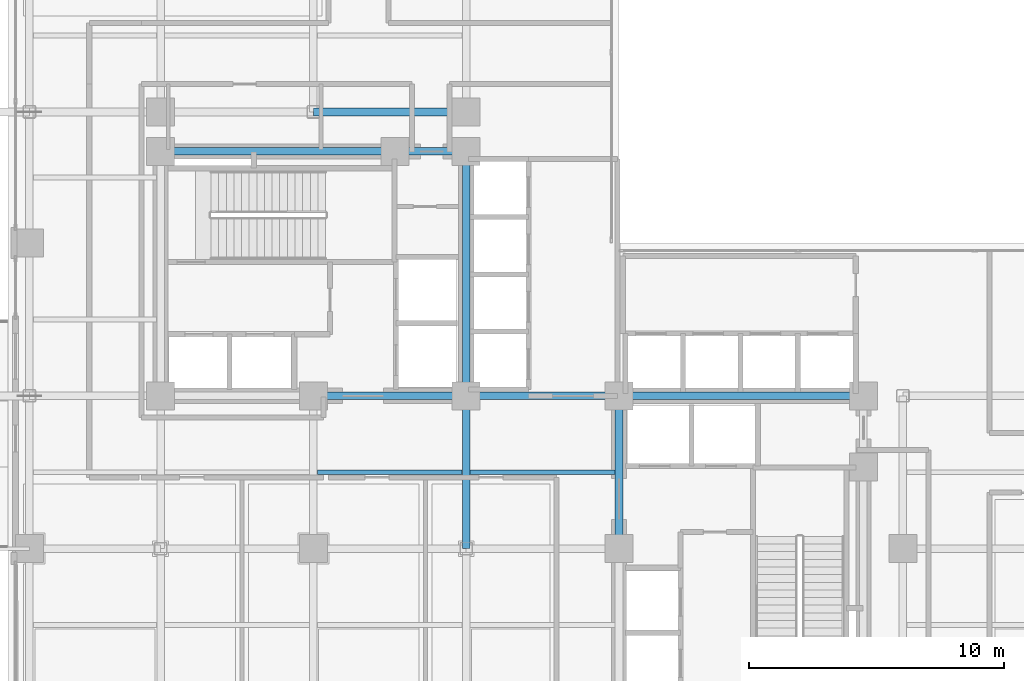
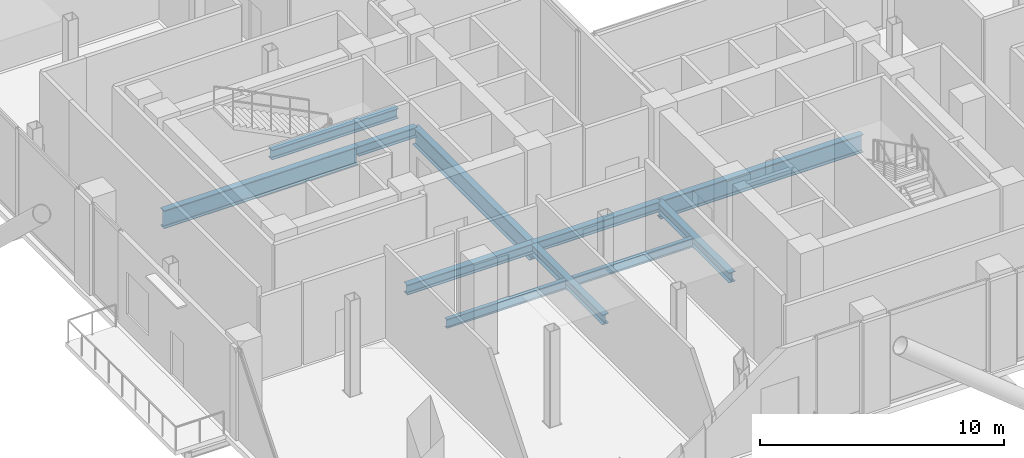
# One storey, part 6 of 25: 11 beams.
"""IFC4 building model written with IfcOpenShell, lengths in metres."""

import ifcopenshell
import ifcopenshell.guid

model = None  # the IFC model being written
_history = None  # IfcOwnerHistory: only IFC2X3 demands one
_inside = {}  # id of a spatial element -> (the spatial element, [elements in it])
_under = {}  # id of a project, library or spatial element -> (it, [spatial elements below it])
_declared = {}  # id of a project -> (the project, [libraries it declares])
_typed = {}  # id of a type object -> (the type object, [elements of that type])
_made_of = {}  # id of a material, layer set ... -> (it, [elements and type objects made of it])


def new_model(schema):
    """Start an empty IFC model of exactly this schema.

    Asked for "IFC4X3", IfcOpenShell would pick the latest addendum, in which some entities
    have other attributes; the version numbers below select the first issue.
    IFC2X3 requires an IfcOwnerHistory on every rooted entity: one is made here for all.
    """
    global model, _history
    if schema == "IFC4X3":
        model = ifcopenshell.file(schema_version=(4, 3, 0, 0))
    else:
        model = ifcopenshell.file(schema=schema)
    _inside.clear()
    _under.clear()
    _declared.clear()
    _typed.clear()
    _made_of.clear()
    _history = None
    if model.schema == "IFC2X3":
        org = make("IfcOrganization", Name="unknown")
        user = make(
            "IfcPersonAndOrganization",
            ThePerson=make("IfcPerson", FamilyName="unknown"),
            TheOrganization=org,
        )
        app = make(
            "IfcApplication",
            ApplicationDeveloper=org,
            Version="unknown",
            ApplicationFullName="unknown",
            ApplicationIdentifier="unknown",
        )
        _history = make(
            "IfcOwnerHistory",
            OwningUser=user,
            OwningApplication=app,
            ChangeAction="ADDED",
            CreationDate=0,
        )
    return model


def make(cls, **values):
    """One entity of the class cls with the attributes given. An attribute that is None is left unset."""
    return model.create_entity(
        cls, **{name: value for name, value in values.items() if value is not None}
    )


def rooted(cls, **values):
    """An entity with a GlobalId (a new one), such as an element, a storey or a relation."""
    return make(cls, GlobalId=ifcopenshell.guid.new(), OwnerHistory=_history, **values)


def si_unit(unit_type, name, prefix=None):
    """IfcSIUnit, for example si_unit("LENGTHUNIT", "METRE", prefix="MILLI")."""
    return make("IfcSIUnit", UnitType=unit_type, Prefix=prefix, Name=name)


def assignment(units):
    """IfcUnitAssignment: the units of a project."""
    return None if units is None else make("IfcUnitAssignment", Units=units)


def point(xyz):
    """IfcCartesianPoint."""
    return None if xyz is None else make("IfcCartesianPoint", Coordinates=xyz)


def direction(xyz):
    """IfcDirection."""
    return None if xyz is None else make("IfcDirection", DirectionRatios=xyz)


def frame(location, z_axis=None, x_axis=None):
    """IfcAxis2Placement3D, a coordinate frame: its origin and axes. An axis left out is left unset."""
    return make(
        "IfcAxis2Placement3D",
        Location=point(location),
        Axis=direction(z_axis),
        RefDirection=direction(x_axis),
    )


def frame_2d(location, x_axis=None):
    """IfcAxis2Placement2D, a coordinate frame in the plane: its origin and x axis."""
    return make(
        "IfcAxis2Placement2D", Location=point(location), RefDirection=direction(x_axis)
    )


def origin():
    """The frame at (0, 0, 0) with its axes left unset."""
    return frame((0.0, 0.0, 0.0))


def origin_2d():
    """The frame at (0, 0) in the plane with its x axis left unset."""
    return frame_2d((0.0, 0.0))


def place(relative_to, where):
    """IfcLocalPlacement: puts the frame where relative to a parent placement (None: the world)."""
    return make(
        "IfcLocalPlacement", PlacementRelTo=relative_to, RelativePlacement=where
    )


def context(
    kind, dimensions, precision=None, world=None, true_north=None, identifier=None
):
    """IfcGeometricRepresentationContext, for example the 3D "Model" context."""
    return make(
        "IfcGeometricRepresentationContext",
        ContextIdentifier=identifier,
        ContextType=kind,
        CoordinateSpaceDimension=dimensions,
        Precision=precision,
        WorldCoordinateSystem=world,
        TrueNorth=true_north,
    )


def subcontext(parent, identifier, kind, view, scale=None):
    """IfcGeometricRepresentationSubContext, for example "Body" below "Model"."""
    return make(
        "IfcGeometricRepresentationSubContext",
        ContextIdentifier=identifier,
        ContextType=kind,
        ParentContext=parent,
        TargetScale=scale,
        TargetView=view,
    )


def project(units=None, contexts=None):
    """IfcProject with its units and contexts."""
    return rooted(
        "IfcProject",
        Name="project",
        RepresentationContexts=contexts,
        UnitsInContext=assignment(units),
    )


def spatial(cls, under=None, at=None, **own):
    """A site, building, storey or space (cls), placed at a placement, below another one or the project."""
    s = rooted(cls, ObjectPlacement=at, **own)
    if under is not None:
        _under.setdefault(under.id(), (under, []))[1].append(s)
    return s


def profile(cls, at=None, kind="AREA", **sizes):
    """A parametric profile (cls). Its sizes go by their IFC names, for example OverallWidth=200.0."""
    return make(cls, ProfileType=kind, Position=at, **sizes)


def i_section(**sizes):
    """IfcIShapeProfileDef."""
    return profile("IfcIShapeProfileDef", **sizes)


def extrude(swept, where, along, depth):
    """IfcExtrudedAreaSolid: the profile swept, set in the frame where, extruded along a direction by depth."""
    return make(
        "IfcExtrudedAreaSolid",
        SweptArea=swept,
        Position=where,
        ExtrudedDirection=direction(along),
        Depth=depth,
    )


def shape(context_of_items, identifier, shape_type, items):
    """IfcShapeRepresentation: the items that make up one representation, for example the "Body"."""
    return make(
        "IfcShapeRepresentation",
        ContextOfItems=context_of_items,
        RepresentationIdentifier=identifier,
        RepresentationType=shape_type,
        Items=items,
    )


def material(Name=None, Category=None):
    """IfcMaterial."""
    return make("IfcMaterial", Name=Name, Category=Category)


def material_profile(
    of_material, cross_section, Name=None, Category=None, Priority=None
):
    """IfcMaterialProfile: a cross section and its material."""
    return make(
        "IfcMaterialProfile",
        Name=Name,
        Material=of_material,
        Profile=cross_section,
        Priority=Priority,
        Category=Category,
    )


def profile_set(profiles, Name=None, composite=None):
    """IfcMaterialProfileSet."""
    return make(
        "IfcMaterialProfileSet",
        Name=Name,
        MaterialProfiles=profiles,
        CompositeProfile=composite,
    )


def made_of(thing, what):
    """Note that an element or type object is made of a material, layer set ...; save() writes the relation."""
    if what is not None:
        _made_of.setdefault(what.id(), (what, []))[1].append(thing)
    return thing


def type_object(cls, material=None, **own):
    """A type object (cls), such as IfcWallType, which elements share."""
    return made_of(rooted(cls, **own), material)


def element(
    cls,
    number,
    at=None,
    inside=None,
    cuts=None,
    type_object=None,
    material=None,
    context=None,
    identifier="Body",
    shape_type=None,
    held_by="IfcProductDefinitionShape",
    body=None,
    shapes=None,
    **own,
):
    """One element of the class cls, such as IfcWall. Its Tag is "e" and its number.

    at: its placement. inside: the storey or other place that contains it. cuts: it is an
    opening in that element (IfcRelVoidsElement). A single representation is given by context,
    identifier, shape_type and body (its items); several are given by shapes. held_by: the class
    of the entity that holds the representations. save() writes the other relations.
    """
    e = rooted(cls, Tag="e%d" % number, ObjectPlacement=at, **own)
    if body is not None:
        shapes = [shape(context, identifier, shape_type, body)]
    if shapes is not None:
        e.Representation = make(held_by, Representations=shapes)
    if inside is not None:
        _inside.setdefault(inside.id(), (inside, []))[1].append(e)
    if cuts is not None:
        rooted(
            "IfcRelVoidsElement", RelatingBuildingElement=cuts, RelatedOpeningElement=e
        )
    if type_object is not None:
        _typed.setdefault(type_object.id(), (type_object, []))[1].append(e)
    return made_of(e, material)


def aggregate(whole, parts):
    """IfcRelAggregates: a whole, such as a stair, and the parts it consists of."""
    return rooted("IfcRelAggregates", RelatingObject=whole, RelatedObjects=parts)


def save(model, path):
    """Write the relations noted so far, then the file.

    IfcRelAggregates (storeys below a building ...), IfcRelContainedInSpatialStructure (elements
    in a storey), IfcRelDefinesByType, IfcRelAssociatesMaterial and IfcRelDeclares: one each for
    every whole, place, type object, material and project.
    """
    for whole, parts in _under.values():
        aggregate(whole, parts)
    for where, things in _inside.values():
        rooted(
            "IfcRelContainedInSpatialStructure",
            RelatedElements=things,
            RelatingStructure=where,
        )
    for kind, things in _typed.values():
        rooted("IfcRelDefinesByType", RelatedObjects=things, RelatingType=kind)
    for what, things in _made_of.values():
        rooted("IfcRelAssociatesMaterial", RelatedObjects=things, RelatingMaterial=what)
    for by, libraries in _declared.values():
        rooted("IfcRelDeclares", RelatingContext=by, RelatedDefinitions=libraries)
    model.write(path)


model = new_model("IFC4")

# Units and contexts
model_context = context("Model", 3, precision=1e-05, world=origin(), true_north=direction((0.0, 1.0)))
body_context = subcontext(model_context, "Body", "Model", "MODEL_VIEW")
ifc_project = project(units=[si_unit("LENGTHUNIT", "METRE"), si_unit("AREAUNIT", "SQUARE_METRE"), si_unit("VOLUMEUNIT", "CUBIC_METRE"), si_unit("PLANEANGLEUNIT", "RADIAN"), si_unit("MASSUNIT", "GRAM", prefix="KILO"), si_unit("THERMODYNAMICTEMPERATUREUNIT", "KELVIN"), si_unit("POWERUNIT", "WATT")], contexts=[model_context])

# Site, building, storey
site_placement = place(None, origin())
site = spatial("IfcSite", under=ifc_project, at=site_placement, CompositionType="ELEMENT")
building_placement = place(site_placement, origin())
building = spatial("IfcBuilding", under=site, at=building_placement, Name="Svarakhadi Broadcast Tower", CompositionType="ELEMENT")
storey_placement = place(building_placement, frame((0.0, 0.0, 110.85009765625)))
storey = spatial("IfcBuildingStorey", under=building, at=storey_placement, Name="L26", CompositionType="ELEMENT", Elevation=110.85009765625)

# Beams
ifc_material_1 = material(Name="Steel S355J2 (IS 2062 E350C)", Category="steel")
ifc_material_profile_1 = material_profile(ifc_material_1, i_section(OverallWidth=0.18994140625, OverallDepth=0.449951171875, WebThickness=0.009521484375, FlangeThickness=0.0146484375, FilletRadius=0.02099609375, at=origin_2d()), Name="NPB 450x190x78")
ifc_profile_set_1 = profile_set([ifc_material_profile_1], Name="Steel S355J2 (IS 2062 E350C)")
beam_type_1 = type_object("IfcBeamType", Name="Beam_NPB450", PredefinedType="BEAM", material=ifc_profile_set_1)
for number, where, z_axis, x_axis, name in (
    (1, (12.159912109375, 15.0, -0.5), (1.0, 0.0, 0.0), (0.0, 1.0, 0.0), "L26 Secondary Composite Beam SB013"),
    (2, (18.159912109375, 15.0, -0.5), (1.0, 0.0, 0.0), (0.0, 1.0, 0.0), "L26 Secondary Composite Beam SB018"),
):
    element("IfcBeam", number, at=place(storey_placement, frame(where, z_axis=z_axis, x_axis=x_axis)), inside=storey, type_object=beam_type_1, Name=name, PredefinedType="BEAM", context=body_context, shape_type="SweptSolid", body=[
        extrude(i_section(OverallWidth=0.18994140625, OverallDepth=0.449951171875, WebThickness=0.009521484375, FlangeThickness=0.0146484375, FilletRadius=0.02099609375, at=origin_2d()), origin(), (0.0, 0.0, 1.0), 5.68017578125),
    ])
ifc_material_profile_2 = material_profile(ifc_material_1, i_section(OverallWidth=0.300048828125, OverallDepth=0.5, WebThickness=0.014404296875, FlangeThickness=0.028076171875, FilletRadius=0.027099609375, at=origin_2d()), Name="WPB 500x300x187")
ifc_profile_set_2 = profile_set([ifc_material_profile_2], Name="Steel S355J2 (IS 2062 E350C)")
beam_type_2 = type_object("IfcBeamType", Name="Girder_WPB500", PredefinedType="USERDEFINED", material=ifc_profile_set_2)
for number, where, z_axis, x_axis, name in (
    (3, (12.0, 18.0, -0.525146484375), (1.0, 0.0, 0.0), (0.0, 1.0, 0.0), "L26 Primary E-W Girder G025"),
    (4, (18.0, 18.0, -0.525146484375), (1.0, 0.0, 0.0), (0.0, 1.0, 0.0), "L26 Primary E-W Girder G026"),
):
    element("IfcBeam", number, at=place(storey_placement, frame(where, z_axis=z_axis, x_axis=x_axis)), inside=storey, type_object=beam_type_2, Name=name, ObjectType="GIRDER", PredefinedType="USERDEFINED", context=body_context, shape_type="SweptSolid", body=[
        extrude(i_section(OverallWidth=0.300048828125, OverallDepth=0.5, WebThickness=0.014404296875, FlangeThickness=0.028076171875, FilletRadius=0.027099609375, at=origin_2d()), origin(), (0.0, 0.0, 1.0), 6.0),
    ])
beam_1_placement = place(storey_placement, frame((15.199951171875, 27.60009765625, -0.525146484375), z_axis=(1.0, 0.0, 0.0), x_axis=(0.0, 1.0, 0.0)))
element("IfcBeam", 5, at=beam_1_placement, inside=storey, type_object=beam_type_2, Name="L26 Primary E-W Girder G031", ObjectType="GIRDER", PredefinedType="USERDEFINED", context=body_context, shape_type="SweptSolid", body=[
    extrude(i_section(OverallWidth=0.300048828125, OverallDepth=0.5, WebThickness=0.014404296875, FlangeThickness=0.028076171875, FilletRadius=0.027099609375, at=origin_2d()), origin(), (0.0, 0.0, 1.0), 2.800048828125),
])
for number, where, z_axis, x_axis, name in (
    (6, (12.0, 29.14990234375, -0.525146484375), (1.0, 0.0, 0.0), (0.0, 1.0, 0.0), "L26 Primary E-W Girder G034"),
    (7, (18.0, 12.0, -0.525146484375), (0.0, 1.0, 0.0), (-1.0, 0.0, 0.0), "L26 Primary N-S Girder G058"),
    (8, (24.0, 12.0, -0.525146484375), (0.0, 1.0, 0.0), (-1.0, 0.0, 0.0), "L26 Primary N-S Girder G064"),
):
    element("IfcBeam", number, at=place(storey_placement, frame(where, z_axis=z_axis, x_axis=x_axis)), inside=storey, type_object=beam_type_2, Name=name, ObjectType="GIRDER", PredefinedType="USERDEFINED", context=body_context, shape_type="SweptSolid", body=[
        extrude(i_section(OverallWidth=0.300048828125, OverallDepth=0.5, WebThickness=0.014404296875, FlangeThickness=0.028076171875, FilletRadius=0.027099609375, at=origin_2d()), origin(), (0.0, 0.0, 1.0), 6.0),
    ])
ifc_material_2 = material(Name="Steel S460ML (IS 2062 E450BR)", Category="steel")
ifc_material_profile_3 = material_profile(ifc_material_2, i_section(OverallWidth=0.300048828125, OverallDepth=0.89990234375, WebThickness=0.0185546875, FlangeThickness=0.034912109375, FilletRadius=0.030029296875, at=origin_2d()), Name="WPB 900x300x291")
ifc_profile_set_3 = profile_set([ifc_material_profile_3], Name="Steel S460ML (IS 2062 E450BR)")
beam_type_3 = type_object("IfcBeamType", Name="Girder_WPB900", PredefinedType="USERDEFINED", material=ifc_profile_set_3)
beam_2_placement = place(storey_placement, frame((24.0, 18.0, -0.72509765625), z_axis=(1.0, 0.0, 0.0), x_axis=(0.0, 1.0, 0.0)))
element("IfcBeam", 9, at=beam_2_placement, inside=storey, type_object=beam_type_3, Name="L26 Primary E-W Girder G027", ObjectType="GIRDER", PredefinedType="USERDEFINED", context=body_context, shape_type="SweptSolid", body=[
    extrude(i_section(OverallWidth=0.300048828125, OverallDepth=0.89990234375, WebThickness=0.0185546875, FlangeThickness=0.034912109375, FilletRadius=0.030029296875, at=origin_2d()), origin(), (0.0, 0.0, 1.0), 9.60009765625),
])
beam_3_placement = place(storey_placement, frame((6.0, 27.60009765625, -0.72509765625), z_axis=(1.0, 0.0, 0.0), x_axis=(0.0, 1.0, 0.0)))
element("IfcBeam", 10, at=beam_3_placement, inside=storey, type_object=beam_type_3, Name="L26 Primary E-W Girder G030", ObjectType="GIRDER", PredefinedType="USERDEFINED", context=body_context, shape_type="SweptSolid", body=[
    extrude(i_section(OverallWidth=0.300048828125, OverallDepth=0.89990234375, WebThickness=0.0185546875, FlangeThickness=0.034912109375, FilletRadius=0.030029296875, at=origin_2d()), origin(), (0.0, 0.0, 1.0), 9.199951171875),
])
beam_4_placement = place(storey_placement, frame((18.0, 18.0, -0.72509765625), z_axis=(0.0, 1.0, 0.0), x_axis=(-1.0, 0.0, 0.0)))
element("IfcBeam", 11, at=beam_4_placement, inside=storey, type_object=beam_type_3, Name="L26 Primary N-S Girder G059", ObjectType="GIRDER", PredefinedType="USERDEFINED", context=body_context, shape_type="SweptSolid", body=[
    extrude(i_section(OverallWidth=0.300048828125, OverallDepth=0.89990234375, WebThickness=0.0185546875, FlangeThickness=0.034912109375, FilletRadius=0.030029296875, at=origin_2d()), origin(), (0.0, 0.0, 1.0), 9.60009765625),
])

save(model, "model.ifc")
